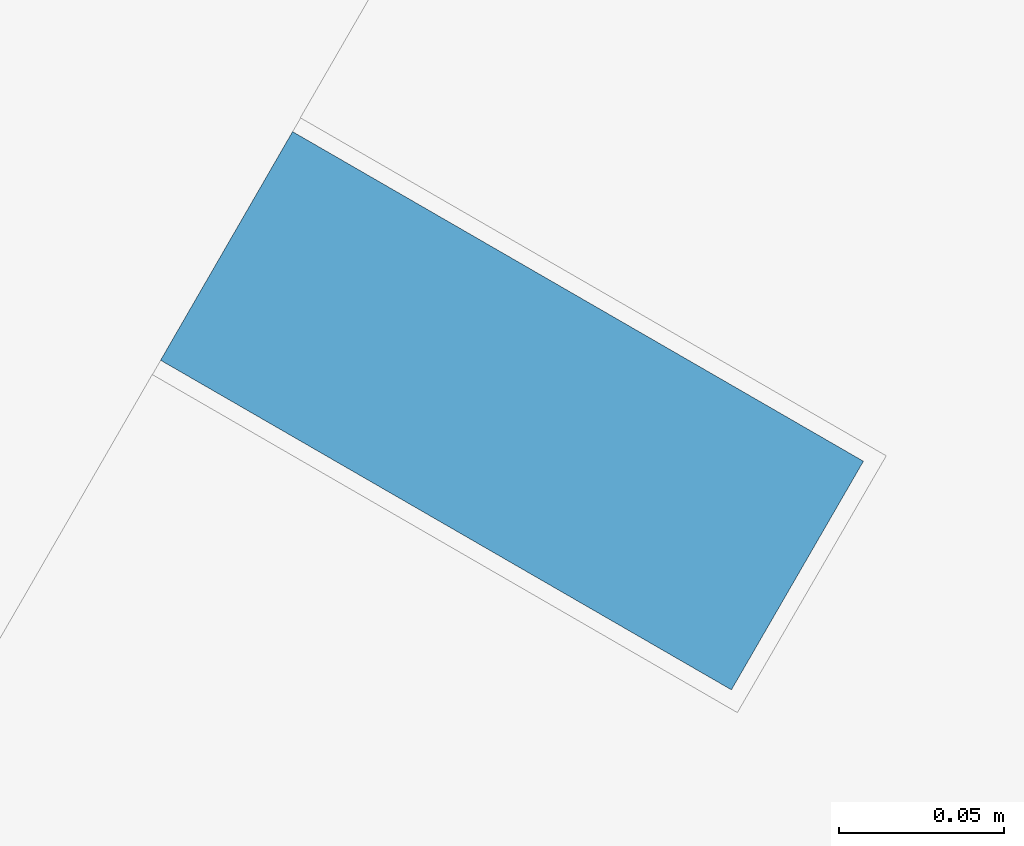
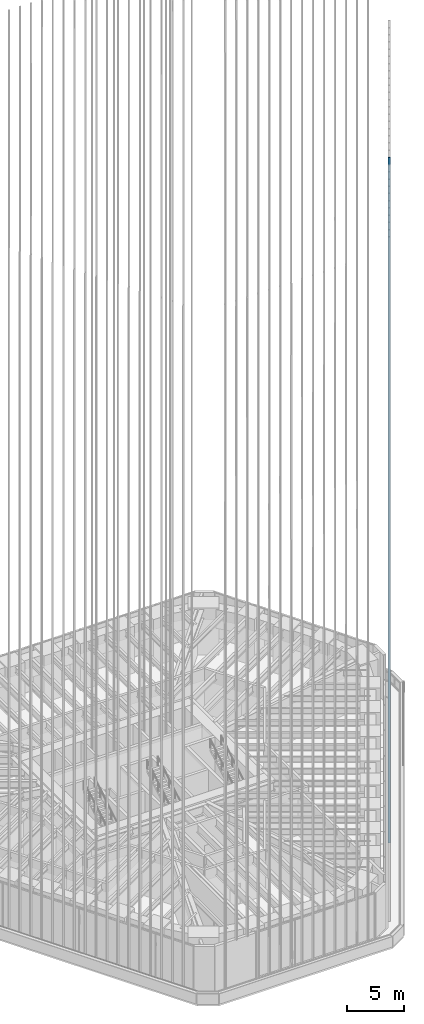
# One storey, part 95 of 228: 1 member, 1 element without a shape of its own.
"""IFC4 building model written with IfcOpenShell, lengths in metres."""

import ifcopenshell
import ifcopenshell.guid

model = None  # the IFC model being written
_history = None  # IfcOwnerHistory: only IFC2X3 demands one
_inside = {}  # id of a spatial element -> (the spatial element, [elements in it])
_under = {}  # id of a project, library or spatial element -> (it, [spatial elements below it])
_declared = {}  # id of a project -> (the project, [libraries it declares])
_typed = {}  # id of a type object -> (the type object, [elements of that type])
_made_of = {}  # id of a material, layer set ... -> (it, [elements and type objects made of it])


def new_model(schema):
    """Start an empty IFC model of exactly this schema.

    Asked for "IFC4X3", IfcOpenShell would pick the latest addendum, in which some entities
    have other attributes; the version numbers below select the first issue.
    IFC2X3 requires an IfcOwnerHistory on every rooted entity: one is made here for all.
    """
    global model, _history
    if schema == "IFC4X3":
        model = ifcopenshell.file(schema_version=(4, 3, 0, 0))
    else:
        model = ifcopenshell.file(schema=schema)
    _inside.clear()
    _under.clear()
    _declared.clear()
    _typed.clear()
    _made_of.clear()
    _history = None
    if model.schema == "IFC2X3":
        org = make("IfcOrganization", Name="unknown")
        user = make(
            "IfcPersonAndOrganization",
            ThePerson=make("IfcPerson", FamilyName="unknown"),
            TheOrganization=org,
        )
        app = make(
            "IfcApplication",
            ApplicationDeveloper=org,
            Version="unknown",
            ApplicationFullName="unknown",
            ApplicationIdentifier="unknown",
        )
        _history = make(
            "IfcOwnerHistory",
            OwningUser=user,
            OwningApplication=app,
            ChangeAction="ADDED",
            CreationDate=0,
        )
    return model


def make(cls, **values):
    """One entity of the class cls with the attributes given. An attribute that is None is left unset."""
    return model.create_entity(
        cls, **{name: value for name, value in values.items() if value is not None}
    )


def rooted(cls, **values):
    """An entity with a GlobalId (a new one), such as an element, a storey or a relation."""
    return make(cls, GlobalId=ifcopenshell.guid.new(), OwnerHistory=_history, **values)


def si_unit(unit_type, name, prefix=None):
    """IfcSIUnit, for example si_unit("LENGTHUNIT", "METRE", prefix="MILLI")."""
    return make("IfcSIUnit", UnitType=unit_type, Prefix=prefix, Name=name)


def assignment(units):
    """IfcUnitAssignment: the units of a project."""
    return None if units is None else make("IfcUnitAssignment", Units=units)


def point(xyz):
    """IfcCartesianPoint."""
    return None if xyz is None else make("IfcCartesianPoint", Coordinates=xyz)


def direction(xyz):
    """IfcDirection."""
    return None if xyz is None else make("IfcDirection", DirectionRatios=xyz)


def frame(location, z_axis=None, x_axis=None):
    """IfcAxis2Placement3D, a coordinate frame: its origin and axes. An axis left out is left unset."""
    return make(
        "IfcAxis2Placement3D",
        Location=point(location),
        Axis=direction(z_axis),
        RefDirection=direction(x_axis),
    )


def frame_2d(location, x_axis=None):
    """IfcAxis2Placement2D, a coordinate frame in the plane: its origin and x axis."""
    return make(
        "IfcAxis2Placement2D", Location=point(location), RefDirection=direction(x_axis)
    )


def origin():
    """The frame at (0, 0, 0) with its axes left unset."""
    return frame((0.0, 0.0, 0.0))


def origin_2d():
    """The frame at (0, 0) in the plane with its x axis left unset."""
    return frame_2d((0.0, 0.0))


def place(relative_to, where):
    """IfcLocalPlacement: puts the frame where relative to a parent placement (None: the world)."""
    return make(
        "IfcLocalPlacement", PlacementRelTo=relative_to, RelativePlacement=where
    )


def context(
    kind, dimensions, precision=None, world=None, true_north=None, identifier=None
):
    """IfcGeometricRepresentationContext, for example the 3D "Model" context."""
    return make(
        "IfcGeometricRepresentationContext",
        ContextIdentifier=identifier,
        ContextType=kind,
        CoordinateSpaceDimension=dimensions,
        Precision=precision,
        WorldCoordinateSystem=world,
        TrueNorth=true_north,
    )


def subcontext(parent, identifier, kind, view, scale=None):
    """IfcGeometricRepresentationSubContext, for example "Body" below "Model"."""
    return make(
        "IfcGeometricRepresentationSubContext",
        ContextIdentifier=identifier,
        ContextType=kind,
        ParentContext=parent,
        TargetScale=scale,
        TargetView=view,
    )


def project(units=None, contexts=None):
    """IfcProject with its units and contexts."""
    return rooted(
        "IfcProject",
        Name="project",
        RepresentationContexts=contexts,
        UnitsInContext=assignment(units),
    )


def spatial(cls, under=None, at=None, **own):
    """A site, building, storey or space (cls), placed at a placement, below another one or the project."""
    s = rooted(cls, ObjectPlacement=at, **own)
    if under is not None:
        _under.setdefault(under.id(), (under, []))[1].append(s)
    return s


def profile(cls, at=None, kind="AREA", **sizes):
    """A parametric profile (cls). Its sizes go by their IFC names, for example OverallWidth=200.0."""
    return make(cls, ProfileType=kind, Position=at, **sizes)


def rectangle(**sizes):
    """IfcRectangleProfileDef."""
    return profile("IfcRectangleProfileDef", **sizes)


def extrude(swept, where, along, depth):
    """IfcExtrudedAreaSolid: the profile swept, set in the frame where, extruded along a direction by depth."""
    return make(
        "IfcExtrudedAreaSolid",
        SweptArea=swept,
        Position=where,
        ExtrudedDirection=direction(along),
        Depth=depth,
    )


def shape(context_of_items, identifier, shape_type, items):
    """IfcShapeRepresentation: the items that make up one representation, for example the "Body"."""
    return make(
        "IfcShapeRepresentation",
        ContextOfItems=context_of_items,
        RepresentationIdentifier=identifier,
        RepresentationType=shape_type,
        Items=items,
    )


def material(Name=None, Category=None):
    """IfcMaterial."""
    return make("IfcMaterial", Name=Name, Category=Category)


def material_profile(
    of_material, cross_section, Name=None, Category=None, Priority=None
):
    """IfcMaterialProfile: a cross section and its material."""
    return make(
        "IfcMaterialProfile",
        Name=Name,
        Material=of_material,
        Profile=cross_section,
        Priority=Priority,
        Category=Category,
    )


def profile_set(profiles, Name=None, composite=None):
    """IfcMaterialProfileSet."""
    return make(
        "IfcMaterialProfileSet",
        Name=Name,
        MaterialProfiles=profiles,
        CompositeProfile=composite,
    )


def made_of(thing, what):
    """Note that an element or type object is made of a material, layer set ...; save() writes the relation."""
    if what is not None:
        _made_of.setdefault(what.id(), (what, []))[1].append(thing)
    return thing


def type_object(cls, material=None, **own):
    """A type object (cls), such as IfcWallType, which elements share."""
    return made_of(rooted(cls, **own), material)


def element(
    cls,
    number,
    at=None,
    inside=None,
    cuts=None,
    type_object=None,
    material=None,
    context=None,
    identifier="Body",
    shape_type=None,
    held_by="IfcProductDefinitionShape",
    body=None,
    shapes=None,
    **own,
):
    """One element of the class cls, such as IfcWall. Its Tag is "e" and its number.

    at: its placement. inside: the storey or other place that contains it. cuts: it is an
    opening in that element (IfcRelVoidsElement). A single representation is given by context,
    identifier, shape_type and body (its items); several are given by shapes. held_by: the class
    of the entity that holds the representations. save() writes the other relations.
    """
    e = rooted(cls, Tag="e%d" % number, ObjectPlacement=at, **own)
    if body is not None:
        shapes = [shape(context, identifier, shape_type, body)]
    if shapes is not None:
        e.Representation = make(held_by, Representations=shapes)
    if inside is not None:
        _inside.setdefault(inside.id(), (inside, []))[1].append(e)
    if cuts is not None:
        rooted(
            "IfcRelVoidsElement", RelatingBuildingElement=cuts, RelatedOpeningElement=e
        )
    if type_object is not None:
        _typed.setdefault(type_object.id(), (type_object, []))[1].append(e)
    return made_of(e, material)


def aggregate(whole, parts):
    """IfcRelAggregates: a whole, such as a stair, and the parts it consists of."""
    return rooted("IfcRelAggregates", RelatingObject=whole, RelatedObjects=parts)


def save(model, path):
    """Write the relations noted so far, then the file.

    IfcRelAggregates (storeys below a building ...), IfcRelContainedInSpatialStructure (elements
    in a storey), IfcRelDefinesByType, IfcRelAssociatesMaterial and IfcRelDeclares: one each for
    every whole, place, type object, material and project.
    """
    for whole, parts in _under.values():
        aggregate(whole, parts)
    for where, things in _inside.values():
        rooted(
            "IfcRelContainedInSpatialStructure",
            RelatedElements=things,
            RelatingStructure=where,
        )
    for kind, things in _typed.values():
        rooted("IfcRelDefinesByType", RelatedObjects=things, RelatingType=kind)
    for what, things in _made_of.values():
        rooted("IfcRelAssociatesMaterial", RelatedObjects=things, RelatingMaterial=what)
    for by, libraries in _declared.values():
        rooted("IfcRelDeclares", RelatingContext=by, RelatedDefinitions=libraries)
    model.write(path)


model = new_model("IFC4")

# Units and contexts
model_context = context("Model", 3, precision=1e-05, world=origin(), true_north=direction((0.0, 1.0)))
body_context = subcontext(model_context, "Body", "Model", "MODEL_VIEW")
ifc_project = project(units=[si_unit("LENGTHUNIT", "METRE"), si_unit("AREAUNIT", "SQUARE_METRE"), si_unit("VOLUMEUNIT", "CUBIC_METRE"), si_unit("PLANEANGLEUNIT", "RADIAN"), si_unit("MASSUNIT", "GRAM", prefix="KILO")], contexts=[model_context])

# Site, building, storey
site_placement = place(None, origin())
site = spatial("IfcSite", under=ifc_project, at=site_placement, CompositionType="ELEMENT")
building_placement = place(site_placement, origin())
building = spatial("IfcBuilding", under=site, at=building_placement, Name="Sandreach Pilgrim Tower", CompositionType="ELEMENT")
storey_placement = place(building_placement, frame((0.0, 0.0, 178.199951171875)))
storey = spatial("IfcBuildingStorey", under=building, at=storey_placement, Name="L44", CompositionType="ELEMENT", Elevation=178.199951171875)

# Curtain wall, member
ifc_material_1 = material(Name="Aluminium framed curtain wall", Category="aluminium")
curtain_wall_type = type_object("IfcCurtainWallType", Name="Upper hotel tower curtain wall", PredefinedType="NOTDEFINED", material=ifc_material_1)
curtain_wall_placement = place(storey_placement, origin())
curtain_wall = element("IfcCurtainWall", 1, at=curtain_wall_placement, inside=storey, type_object=curtain_wall_type, Name="CW-3 L44 SE", PredefinedType="NOTDEFINED")
ifc_material_2 = material(Name="Extruded terracotta on aluminium core", Category="masonry")
ifc_material_profile = material_profile(ifc_material_2, rectangle(XDim=0.080078125, YDim=0.199951171875, at=origin_2d()), Name="TBE 80X200")
ifc_profile_set = profile_set([ifc_material_profile], Name="Extruded terracotta on aluminium core")
member_type = type_object("IfcMemberType", Name="Terracotta baguette east", PredefinedType="USERDEFINED", material=ifc_profile_set)
member_placement = place(storey_placement, frame((16.468994140625, -14.594970703125, 0.0), z_axis=(0.0, 0.0, 1.0), x_axis=(-0.5, -0.866025403784, 0.0)))
member = element("IfcMember", 2, at=member_placement, type_object=member_type, Name="Baguette Z3 SE20", ObjectType="BAGUETTE", PredefinedType="USERDEFINED", context=body_context, shape_type="SweptSolid", body=[
    extrude(rectangle(XDim=0.080078125, YDim=0.199951171875, at=origin_2d()), origin(), (0.0, 0.0, 1.0), 73.239990234375),
])
aggregate(curtain_wall, [member])

save(model, "model.ifc")
